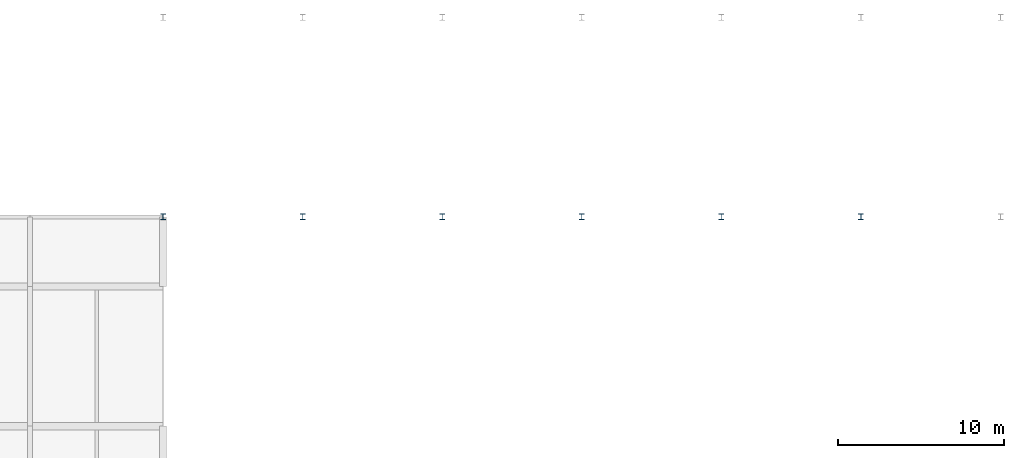
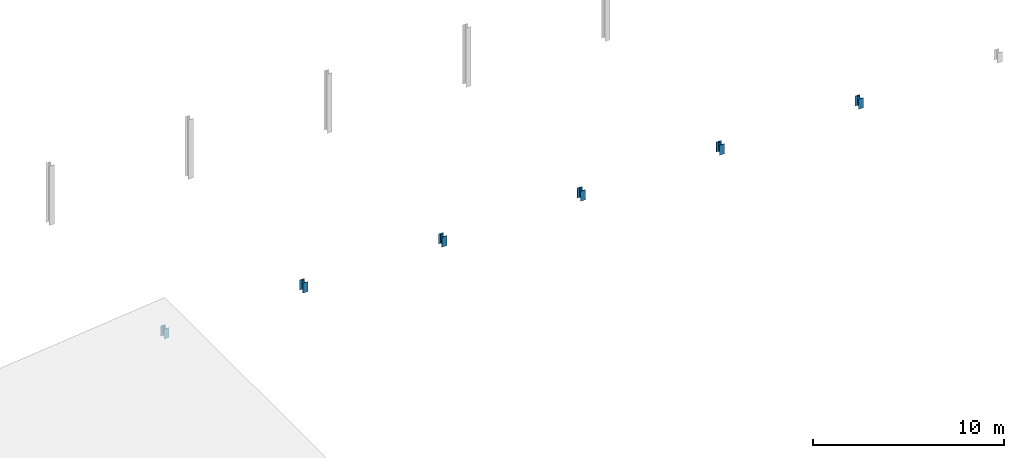
# One storey, part 6 of 34: 6 columns.
"""IFC4 building model written with IfcOpenShell, lengths in metres."""

from ifc_helpers import new_model, si_unit, direction, frame, origin, origin_2d, place, context, subcontext, project, spatial, i_section, extrude, material, material_profile, profile_set, type_object, element, save


model = new_model("IFC4")

# Units and contexts
model_context = context("Model", 3, precision=1e-05, world=origin(), true_north=direction((0.0, 1.0)))
body_context = subcontext(model_context, "Body", "Model", "MODEL_VIEW")
ifc_project = project(units=[si_unit("LENGTHUNIT", "METRE"), si_unit("AREAUNIT", "SQUARE_METRE"), si_unit("VOLUMEUNIT", "CUBIC_METRE"), si_unit("PLANEANGLEUNIT", "RADIAN"), si_unit("MASSUNIT", "GRAM", prefix="KILO")], contexts=[model_context])

# Site, building, storey
site_placement = place(None, origin())
site = spatial("IfcSite", under=ifc_project, at=site_placement, CompositionType="ELEMENT")
building_placement = place(site_placement, origin())
building = spatial("IfcBuilding", under=site, at=building_placement, Name="Vharandega Faculty of Natural Sciences", CompositionType="ELEMENT")
storey_placement = place(building_placement, frame((0.0, 0.0, 21.60009765625)))
storey = spatial("IfcBuildingStorey", under=building, at=storey_placement, Name="L05", CompositionType="ELEMENT", Elevation=21.60009765625)

# Columns
ifc_material = material(Name="Steel S355", Category="steel")
ifc_material_profile = material_profile(ifc_material, i_section(OverallWidth=0.300048828125, OverallDepth=0.360107421875, WebThickness=0.012451171875, FlangeThickness=0.0224609375, FilletRadius=0.027099609375, at=origin_2d()), Name="HEB 360")
ifc_profile_set = profile_set([ifc_material_profile], Name="Steel S355")
column_type = type_object("IfcColumnType", Name="Steel Column HEB 360", PredefinedType="COLUMN", material=ifc_profile_set)
for number, where, z_axis, x_axis, name in (
    (1, (72.800048828125, 85.0, 0.0), (0.0, 0.0, 1.0), (1.0, 0.0, 0.0), "Column 10/M L05"),
    (2, (81.199951171875, 85.0, 0.0), (0.0, 0.0, 1.0), (1.0, 0.0, 0.0), "Column 11/M L05"),
    (3, (89.60009765625, 85.0, 0.0), (0.0, 0.0, 1.0), (1.0, 0.0, 0.0), "Column 12/M L05"),
    (4, (98.0, 85.0, 0.0), (0.0, 0.0, 1.0), (1.0, 0.0, 0.0), "Column 13/M L05"),
    (5, (56.0, 85.0, 0.0), (0.0, 0.0, 1.0), (1.0, 0.0, 0.0), "Column 8/M L05"),
    (6, (64.39990234375, 85.0, 0.0), (0.0, 0.0, 1.0), (1.0, 0.0, 0.0), "Column 9/M L05"),
):
    element("IfcColumn", number, at=place(storey_placement, frame(where, z_axis=z_axis, x_axis=x_axis)), inside=storey, type_object=column_type, Name=name, PredefinedType="COLUMN", context=body_context, shape_type="SweptSolid", body=[
        extrude(i_section(OverallWidth=0.300048828125, OverallDepth=0.360107421875, WebThickness=0.012451171875, FlangeThickness=0.0224609375, FilletRadius=0.027099609375, at=origin_2d()), origin(), (0.0, 0.0, 1.0), 0.639892578125),
    ])

save(model, "model.ifc")
